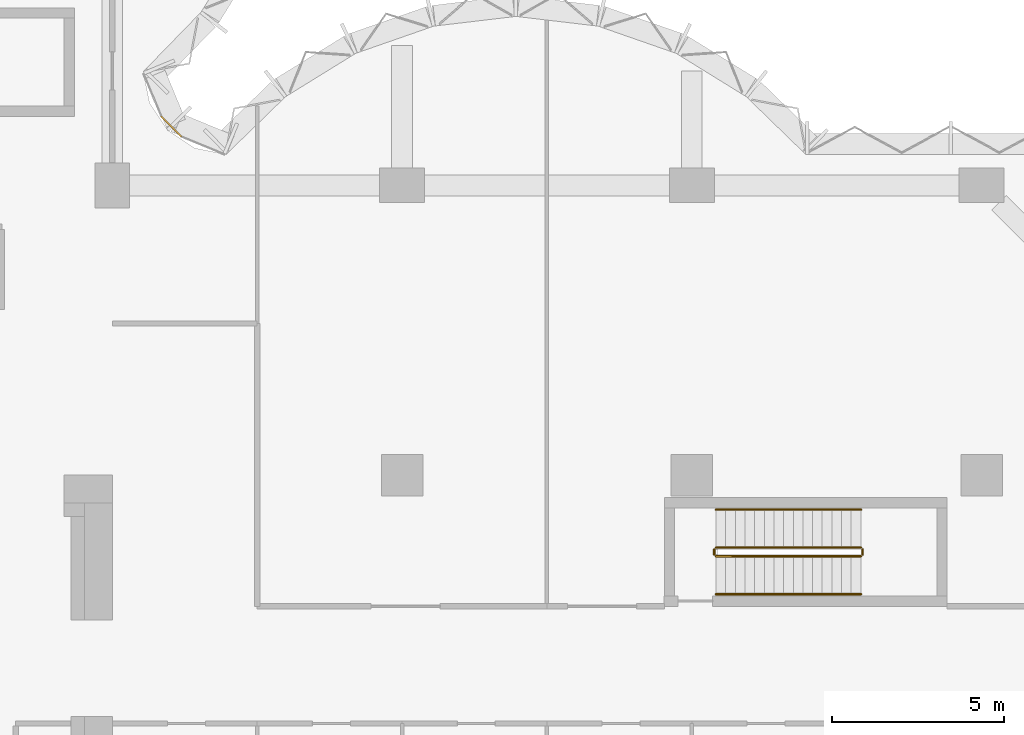
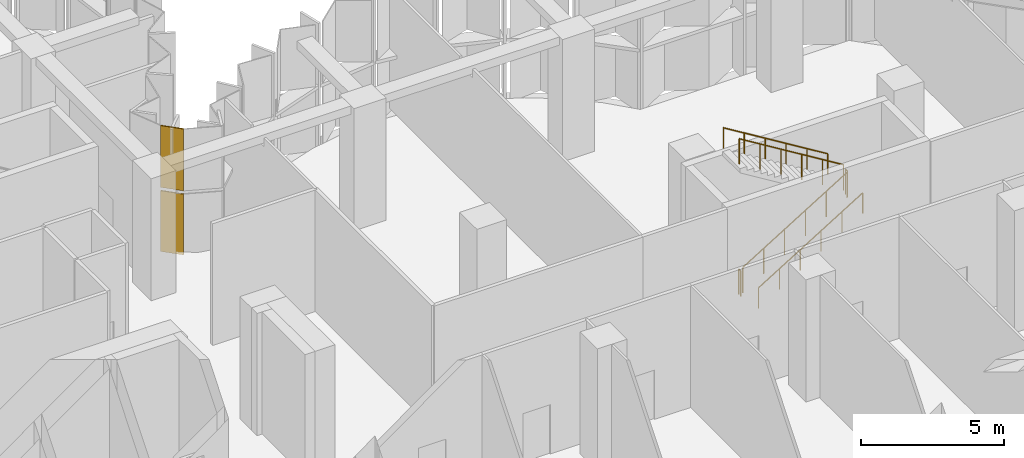
# One storey, part 13 of 15: 6 railings, 2 coverings, 1 element without a shape of its own.
"""IFC4 building model written with IfcOpenShell, lengths in metres."""

import ifcopenshell
import ifcopenshell.guid

model = None  # the IFC model being written
_history = None  # IfcOwnerHistory: only IFC2X3 demands one
_inside = {}  # id of a spatial element -> (the spatial element, [elements in it])
_under = {}  # id of a project, library or spatial element -> (it, [spatial elements below it])
_declared = {}  # id of a project -> (the project, [libraries it declares])
_typed = {}  # id of a type object -> (the type object, [elements of that type])
_made_of = {}  # id of a material, layer set ... -> (it, [elements and type objects made of it])


def new_model(schema):
    """Start an empty IFC model of exactly this schema.

    Asked for "IFC4X3", IfcOpenShell would pick the latest addendum, in which some entities
    have other attributes; the version numbers below select the first issue.
    IFC2X3 requires an IfcOwnerHistory on every rooted entity: one is made here for all.
    """
    global model, _history
    if schema == "IFC4X3":
        model = ifcopenshell.file(schema_version=(4, 3, 0, 0))
    else:
        model = ifcopenshell.file(schema=schema)
    _inside.clear()
    _under.clear()
    _declared.clear()
    _typed.clear()
    _made_of.clear()
    _history = None
    if model.schema == "IFC2X3":
        org = make("IfcOrganization", Name="unknown")
        user = make(
            "IfcPersonAndOrganization",
            ThePerson=make("IfcPerson", FamilyName="unknown"),
            TheOrganization=org,
        )
        app = make(
            "IfcApplication",
            ApplicationDeveloper=org,
            Version="unknown",
            ApplicationFullName="unknown",
            ApplicationIdentifier="unknown",
        )
        _history = make(
            "IfcOwnerHistory",
            OwningUser=user,
            OwningApplication=app,
            ChangeAction="ADDED",
            CreationDate=0,
        )
    return model


def make(cls, **values):
    """One entity of the class cls with the attributes given. An attribute that is None is left unset."""
    return model.create_entity(
        cls, **{name: value for name, value in values.items() if value is not None}
    )


def rooted(cls, **values):
    """An entity with a GlobalId (a new one), such as an element, a storey or a relation."""
    return make(cls, GlobalId=ifcopenshell.guid.new(), OwnerHistory=_history, **values)


def si_unit(unit_type, name, prefix=None):
    """IfcSIUnit, for example si_unit("LENGTHUNIT", "METRE", prefix="MILLI")."""
    return make("IfcSIUnit", UnitType=unit_type, Prefix=prefix, Name=name)


def assignment(units):
    """IfcUnitAssignment: the units of a project."""
    return None if units is None else make("IfcUnitAssignment", Units=units)


def point(xyz):
    """IfcCartesianPoint."""
    return None if xyz is None else make("IfcCartesianPoint", Coordinates=xyz)


def direction(xyz):
    """IfcDirection."""
    return None if xyz is None else make("IfcDirection", DirectionRatios=xyz)


def frame(location, z_axis=None, x_axis=None):
    """IfcAxis2Placement3D, a coordinate frame: its origin and axes. An axis left out is left unset."""
    return make(
        "IfcAxis2Placement3D",
        Location=point(location),
        Axis=direction(z_axis),
        RefDirection=direction(x_axis),
    )


def frame_2d(location, x_axis=None):
    """IfcAxis2Placement2D, a coordinate frame in the plane: its origin and x axis."""
    return make(
        "IfcAxis2Placement2D", Location=point(location), RefDirection=direction(x_axis)
    )


def origin():
    """The frame at (0, 0, 0) with its axes left unset."""
    return frame((0.0, 0.0, 0.0))


def origin_2d():
    """The frame at (0, 0) in the plane with its x axis left unset."""
    return frame_2d((0.0, 0.0))


def place(relative_to, where):
    """IfcLocalPlacement: puts the frame where relative to a parent placement (None: the world)."""
    return make(
        "IfcLocalPlacement", PlacementRelTo=relative_to, RelativePlacement=where
    )


def context(
    kind, dimensions, precision=None, world=None, true_north=None, identifier=None
):
    """IfcGeometricRepresentationContext, for example the 3D "Model" context."""
    return make(
        "IfcGeometricRepresentationContext",
        ContextIdentifier=identifier,
        ContextType=kind,
        CoordinateSpaceDimension=dimensions,
        Precision=precision,
        WorldCoordinateSystem=world,
        TrueNorth=true_north,
    )


def subcontext(parent, identifier, kind, view, scale=None):
    """IfcGeometricRepresentationSubContext, for example "Body" below "Model"."""
    return make(
        "IfcGeometricRepresentationSubContext",
        ContextIdentifier=identifier,
        ContextType=kind,
        ParentContext=parent,
        TargetScale=scale,
        TargetView=view,
    )


def project(units=None, contexts=None):
    """IfcProject with its units and contexts."""
    return rooted(
        "IfcProject",
        Name="project",
        RepresentationContexts=contexts,
        UnitsInContext=assignment(units),
    )


def spatial(cls, under=None, at=None, **own):
    """A site, building, storey or space (cls), placed at a placement, below another one or the project."""
    s = rooted(cls, ObjectPlacement=at, **own)
    if under is not None:
        _under.setdefault(under.id(), (under, []))[1].append(s)
    return s


def polyline(points):
    """IfcPolyline through the points."""
    return make("IfcPolyline", Points=[point(p) for p in points])


def profile(cls, at=None, kind="AREA", **sizes):
    """A parametric profile (cls). Its sizes go by their IFC names, for example OverallWidth=200.0."""
    return make(cls, ProfileType=kind, Position=at, **sizes)


def circle(**sizes):
    """IfcCircleProfileDef."""
    return profile("IfcCircleProfileDef", **sizes)


def outline(outer, holes=None, kind="AREA"):
    """IfcArbitraryClosedProfileDef: a profile drawn as a closed curve; with holes, ...WithVoids."""
    if holes is None:
        return make("IfcArbitraryClosedProfileDef", ProfileType=kind, OuterCurve=outer)
    return make(
        "IfcArbitraryProfileDefWithVoids",
        ProfileType=kind,
        OuterCurve=outer,
        InnerCurves=holes,
    )


def extrude(swept, where, along, depth):
    """IfcExtrudedAreaSolid: the profile swept, set in the frame where, extruded along a direction by depth."""
    return make(
        "IfcExtrudedAreaSolid",
        SweptArea=swept,
        Position=where,
        ExtrudedDirection=direction(along),
        Depth=depth,
    )


def shape(context_of_items, identifier, shape_type, items):
    """IfcShapeRepresentation: the items that make up one representation, for example the "Body"."""
    return make(
        "IfcShapeRepresentation",
        ContextOfItems=context_of_items,
        RepresentationIdentifier=identifier,
        RepresentationType=shape_type,
        Items=items,
    )


def material(Name=None, Category=None):
    """IfcMaterial."""
    return make("IfcMaterial", Name=Name, Category=Category)


def layer(
    of_material, thickness, ventilated=None, Name=None, Category=None, Priority=None
):
    """IfcMaterialLayer: one layer of a wall or slab, of a material (None: an air gap)."""
    return make(
        "IfcMaterialLayer",
        Material=of_material,
        LayerThickness=thickness,
        IsVentilated=ventilated,
        Name=Name,
        Category=Category,
        Priority=Priority,
    )


def layer_set(layers, Name=None):
    """IfcMaterialLayerSet."""
    return make("IfcMaterialLayerSet", MaterialLayers=layers, LayerSetName=Name)


def made_of(thing, what):
    """Note that an element or type object is made of a material, layer set ...; save() writes the relation."""
    if what is not None:
        _made_of.setdefault(what.id(), (what, []))[1].append(thing)
    return thing


def type_object(cls, material=None, **own):
    """A type object (cls), such as IfcWallType, which elements share."""
    return made_of(rooted(cls, **own), material)


def element(
    cls,
    number,
    at=None,
    inside=None,
    cuts=None,
    type_object=None,
    material=None,
    context=None,
    identifier="Body",
    shape_type=None,
    held_by="IfcProductDefinitionShape",
    body=None,
    shapes=None,
    **own,
):
    """One element of the class cls, such as IfcWall. Its Tag is "e" and its number.

    at: its placement. inside: the storey or other place that contains it. cuts: it is an
    opening in that element (IfcRelVoidsElement). A single representation is given by context,
    identifier, shape_type and body (its items); several are given by shapes. held_by: the class
    of the entity that holds the representations. save() writes the other relations.
    """
    e = rooted(cls, Tag="e%d" % number, ObjectPlacement=at, **own)
    if body is not None:
        shapes = [shape(context, identifier, shape_type, body)]
    if shapes is not None:
        e.Representation = make(held_by, Representations=shapes)
    if inside is not None:
        _inside.setdefault(inside.id(), (inside, []))[1].append(e)
    if cuts is not None:
        rooted(
            "IfcRelVoidsElement", RelatingBuildingElement=cuts, RelatedOpeningElement=e
        )
    if type_object is not None:
        _typed.setdefault(type_object.id(), (type_object, []))[1].append(e)
    return made_of(e, material)


def aggregate(whole, parts):
    """IfcRelAggregates: a whole, such as a stair, and the parts it consists of."""
    return rooted("IfcRelAggregates", RelatingObject=whole, RelatedObjects=parts)


def save(model, path):
    """Write the relations noted so far, then the file.

    IfcRelAggregates (storeys below a building ...), IfcRelContainedInSpatialStructure (elements
    in a storey), IfcRelDefinesByType, IfcRelAssociatesMaterial and IfcRelDeclares: one each for
    every whole, place, type object, material and project.
    """
    for whole, parts in _under.values():
        aggregate(whole, parts)
    for where, things in _inside.values():
        rooted(
            "IfcRelContainedInSpatialStructure",
            RelatedElements=things,
            RelatingStructure=where,
        )
    for kind, things in _typed.values():
        rooted("IfcRelDefinesByType", RelatedObjects=things, RelatingType=kind)
    for what, things in _made_of.values():
        rooted("IfcRelAssociatesMaterial", RelatedObjects=things, RelatingMaterial=what)
    for by, libraries in _declared.values():
        rooted("IfcRelDeclares", RelatingContext=by, RelatedDefinitions=libraries)
    model.write(path)


model = new_model("IFC4")

# Units and contexts
model_context = context("Model", 3, precision=1e-05, world=origin(), true_north=direction((0.0, 1.0)))
body_context = subcontext(model_context, "Body", "Model", "MODEL_VIEW")
ifc_project = project(units=[si_unit("LENGTHUNIT", "METRE"), si_unit("AREAUNIT", "SQUARE_METRE"), si_unit("VOLUMEUNIT", "CUBIC_METRE"), si_unit("PLANEANGLEUNIT", "RADIAN"), si_unit("MASSUNIT", "GRAM", prefix="KILO")], contexts=[model_context])

# Site, building, storey
site_placement = place(None, origin())
site = spatial("IfcSite", under=ifc_project, at=site_placement, CompositionType="ELEMENT")
building_placement = place(site_placement, origin())
building = spatial("IfcBuilding", under=site, at=building_placement, Name="Brevane Broadcast Tower", CompositionType="ELEMENT")
storey_placement = place(building_placement, frame((0.0, 0.0, 156.5)))
storey = spatial("IfcBuildingStorey", under=building, at=storey_placement, Name="L39", CompositionType="ELEMENT", Elevation=156.5)

# Railings
ifc_material_1 = material(Name="Steel S355", Category="steel")
railing_type_1 = type_object("IfcRailingType", Name="Exit stair guard", PredefinedType="GUARDRAIL", material=ifc_material_1)
railing_1_placement = place(storey_placement, frame((42.699951171875, 14.449951171875, 0.171875)))
element("IfcRailing", 1, at=railing_1_placement, inside=storey, type_object=railing_type_1, Name="L39 ST-4 stair guard 1", PredefinedType="GUARDRAIL", context=body_context, shape_type="SweptSolid", body=[
    extrude(circle(Radius=0.02392578125, at=origin_2d()), frame((0.0, 0.0, 1.076171875), z_axis=(0.852242915053, 0.0, 0.523146264196), x_axis=(0.0, 1.0, 0.0)), (0.0, 0.0, 1.0), 4.92822265625),
    extrude(circle(Radius=0.02099609375, at=origin_2d()), origin(), (0.0, 0.0, 1.0), 1.052001953125),
    extrude(circle(Radius=0.02099609375, at=origin_2d()), frame((0.840087890625, 0.0, 0.515625)), (0.0, 0.0, 1.0), 1.052001953125),
    extrude(circle(Radius=0.02099609375, at=origin_2d()), frame((1.679931640625, 0.0, 1.03125)), (0.0, 0.0, 1.0), 1.052001953125),
    extrude(circle(Radius=0.02099609375, at=origin_2d()), frame((2.52001953125, 0.0, 1.546875)), (0.0, 0.0, 1.0), 1.052001953125),
    extrude(circle(Radius=0.02099609375, at=origin_2d()), frame((3.35986328125, 0.0, 2.0625)), (0.0, 0.0, 1.0), 1.052001953125),
    extrude(circle(Radius=0.02099609375, at=origin_2d()), frame((4.199951171875, 0.0, 2.578125)), (0.0, 0.0, 1.0), 1.052001953125),
])
railing_2_placement = place(storey_placement, frame((46.949951171875, 14.5, 2.75)))
element("IfcRailing", 2, at=railing_2_placement, inside=storey, type_object=railing_type_1, Name="L39 ST-4 stair guard 2", PredefinedType="GUARDRAIL", context=body_context, shape_type="SweptSolid", body=[
    extrude(circle(Radius=0.02392578125, at=origin_2d()), frame((0.0, 0.0, 1.076171875), z_axis=(0.0, 1.0, 0.0), x_axis=(-1.0, 0.0, 0.0)), (0.0, 0.0, 1.0), 0.14990234375),
    extrude(circle(Radius=0.02099609375, at=origin_2d()), origin(), (0.0, 0.0, 1.0), 1.052001953125),
    extrude(circle(Radius=0.02099609375, at=origin_2d()), frame((0.0, 0.14990234375, 0.0)), (0.0, 0.0, 1.0), 1.052001953125),
])
railing_3_placement = place(storey_placement, frame((46.89990234375, 14.699951171875, 2.921875)))
element("IfcRailing", 3, at=railing_3_placement, inside=storey, type_object=railing_type_1, Name="L39 ST-4 stair guard 3", PredefinedType="GUARDRAIL", context=body_context, shape_type="SweptSolid", body=[
    extrude(circle(Radius=0.02392578125, at=origin_2d()), frame((0.0, 0.0, 1.076171875), z_axis=(-0.852242915053, 0.0, 0.523146264196), x_axis=(0.0, -1.0, 0.0)), (0.0, 0.0, 1.0), 4.92822265625),
    extrude(circle(Radius=0.02099609375, at=origin_2d()), origin(), (0.0, 0.0, 1.0), 1.052001953125),
    extrude(circle(Radius=0.02099609375, at=origin_2d()), frame((-0.840087890625, 0.0, 0.515625)), (0.0, 0.0, 1.0), 1.052001953125),
    extrude(circle(Radius=0.02099609375, at=origin_2d()), frame((-1.679931640625, 0.0, 1.03125)), (0.0, 0.0, 1.0), 1.052001953125),
    extrude(circle(Radius=0.02099609375, at=origin_2d()), frame((-2.52001953125, 0.0, 1.546875)), (0.0, 0.0, 1.0), 1.052001953125),
    extrude(circle(Radius=0.02099609375, at=origin_2d()), frame((-3.35986328125, 0.0, 2.0625)), (0.0, 0.0, 1.0), 1.052001953125),
    extrude(circle(Radius=0.02099609375, at=origin_2d()), frame((-4.199951171875, 0.0, 2.578125)), (0.0, 0.0, 1.0), 1.052001953125),
])
railing_4_placement = place(storey_placement, frame((42.64990234375, 14.5, 0.0)))
element("IfcRailing", 4, at=railing_4_placement, inside=storey, type_object=railing_type_1, Name="L39 ST-4 stair guard 4", PredefinedType="GUARDRAIL", context=body_context, shape_type="SweptSolid", body=[
    extrude(circle(Radius=0.02392578125, at=origin_2d()), frame((0.0, 0.0, 1.076171875), z_axis=(0.0, 1.0, 0.0), x_axis=(-1.0, 0.0, 0.0)), (0.0, 0.0, 1.0), 0.14990234375),
    extrude(circle(Radius=0.02099609375, at=origin_2d()), origin(), (0.0, 0.0, 1.0), 1.052001953125),
    extrude(circle(Radius=0.02099609375, at=origin_2d()), frame((0.0, 0.14990234375, 0.0)), (0.0, 0.0, 1.0), 1.052001953125),
])
railing_type_2 = type_object("IfcRailingType", Name="Exit stair handrail", PredefinedType="HANDRAIL", material=ifc_material_1)
railing_5_placement = place(storey_placement, frame((42.699951171875, 13.35009765625, 0.171875)))
element("IfcRailing", 5, at=railing_5_placement, inside=storey, type_object=railing_type_2, Name="L39 ST-4 stair handrail 1", PredefinedType="HANDRAIL", context=body_context, shape_type="SweptSolid", body=[
    extrude(circle(Radius=0.02392578125, at=origin_2d()), frame((0.0, 0.0, 0.8759765625), z_axis=(0.852242915053, 0.0, 0.523146264196), x_axis=(0.0, 1.0, 0.0)), (0.0, 0.0, 1.0), 4.92822265625),
    extrude(circle(Radius=0.02099609375, at=origin_2d()), origin(), (0.0, 0.0, 1.0), 0.851806640625),
    extrude(circle(Radius=0.02099609375, at=origin_2d()), frame((0.840087890625, 0.0, 0.515625)), (0.0, 0.0, 1.0), 0.851806640625),
    extrude(circle(Radius=0.02099609375, at=origin_2d()), frame((1.679931640625, 0.0, 1.03125)), (0.0, 0.0, 1.0), 0.851806640625),
    extrude(circle(Radius=0.02099609375, at=origin_2d()), frame((2.52001953125, 0.0, 1.546875)), (0.0, 0.0, 1.0), 0.851806640625),
    extrude(circle(Radius=0.02099609375, at=origin_2d()), frame((3.35986328125, 0.0, 2.0625)), (0.0, 0.0, 1.0), 0.851806640625),
    extrude(circle(Radius=0.02099609375, at=origin_2d()), frame((4.199951171875, 0.0, 2.578125)), (0.0, 0.0, 1.0), 0.851806640625),
])
railing_6_placement = place(storey_placement, frame((46.89990234375, 15.800048828125, 2.921875)))
element("IfcRailing", 6, at=railing_6_placement, inside=storey, type_object=railing_type_2, Name="L39 ST-4 stair handrail 2", PredefinedType="HANDRAIL", context=body_context, shape_type="SweptSolid", body=[
    extrude(circle(Radius=0.02392578125, at=origin_2d()), frame((0.0, 0.0, 0.8759765625), z_axis=(-0.852242915053, 0.0, 0.523146264196), x_axis=(0.0, -1.0, 0.0)), (0.0, 0.0, 1.0), 4.92822265625),
    extrude(circle(Radius=0.02099609375, at=origin_2d()), origin(), (0.0, 0.0, 1.0), 0.851806640625),
    extrude(circle(Radius=0.02099609375, at=origin_2d()), frame((-0.840087890625, 0.0, 0.515625)), (0.0, 0.0, 1.0), 0.851806640625),
    extrude(circle(Radius=0.02099609375, at=origin_2d()), frame((-1.679931640625, 0.0, 1.03125)), (0.0, 0.0, 1.0), 0.851806640625),
    extrude(circle(Radius=0.02099609375, at=origin_2d()), frame((-2.52001953125, 0.0, 1.546875)), (0.0, 0.0, 1.0), 0.851806640625),
    extrude(circle(Radius=0.02099609375, at=origin_2d()), frame((-3.35986328125, 0.0, 2.0625)), (0.0, 0.0, 1.0), 0.851806640625),
    extrude(circle(Radius=0.02099609375, at=origin_2d()), frame((-4.199951171875, 0.0, 2.578125)), (0.0, 0.0, 1.0), 0.851806640625),
])

# Curtain wall, coverings
ifc_material_2 = material(Name="Aluminium 6063-T6 bronze anodised", Category="aluminium")
curtain_wall_type = type_object("IfcCurtainWallType", Name="CW-4 curtain wall", PredefinedType="NOTDEFINED", material=ifc_material_2)
curtain_wall_placement = place(storey_placement, origin())
curtain_wall = element("IfcCurtainWall", 7, at=curtain_wall_placement, inside=storey, type_object=curtain_wall_type, Name="CW-4 sky lobby unit L39 inner corner", PredefinedType="NOTDEFINED")
ifc_material_3 = material(Name="Back-painted bronze glass shadow-box", Category="glass")
ifc_layer = layer(ifc_material_3, 0.0400390625)
ifc_layer_set = layer_set([ifc_layer], Name="Shadow-box panel 40")
covering_type = type_object("IfcCoveringType", Name="Shadow-box panel 40", PredefinedType="CLADDING", material=ifc_layer_set)
covering_1_placement = place(storey_placement, frame((0.0, 0.0, -0.159912109375)))
covering_1 = element("IfcCovering", 8, at=covering_1_placement, type_object=covering_type, Name="Closure panel", PredefinedType="CLADDING", context=body_context, shape_type="SweptSolid", body=[
    extrude(outline(polyline([(27.1865234375, 26.5986328125), (27.217041015625, 26.62939453125), (26.62939453125, 27.217041015625), (26.5986328125, 27.1865234375), (27.1865234375, 26.5986328125)])), origin(), (0.0, 0.0, 1.0), 2.58984375),
])
covering_2_placement = place(storey_placement, frame((0.0, 0.0, 2.570068359375)))
covering_2 = element("IfcCovering", 9, at=covering_2_placement, type_object=covering_type, Name="Closure panel", PredefinedType="CLADDING", context=body_context, shape_type="SweptSolid", body=[
    extrude(outline(polyline([(27.1865234375, 26.5986328125), (27.217041015625, 26.62939453125), (26.62939453125, 27.217041015625), (26.5986328125, 27.1865234375), (27.1865234375, 26.5986328125)])), origin(), (0.0, 0.0, 1.0), 2.6298828125),
])
aggregate(curtain_wall, [covering_1, covering_2])

save(model, "model.ifc")
